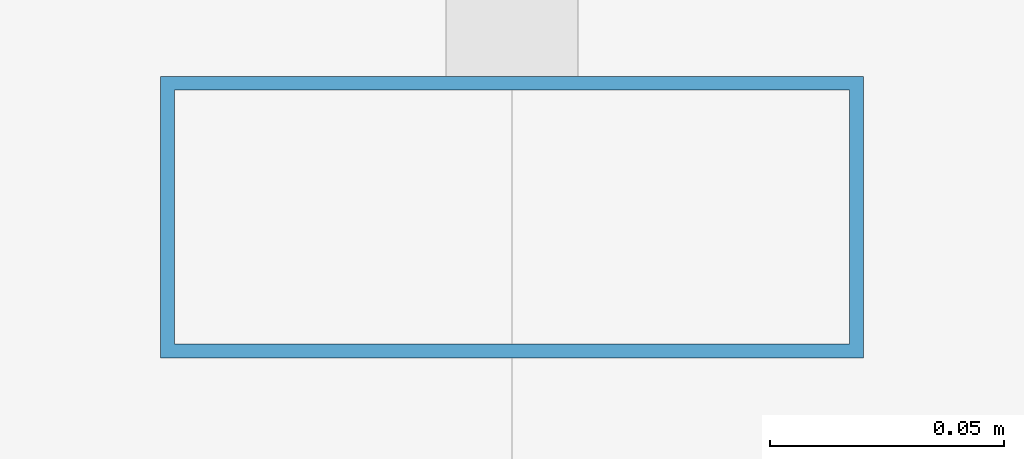
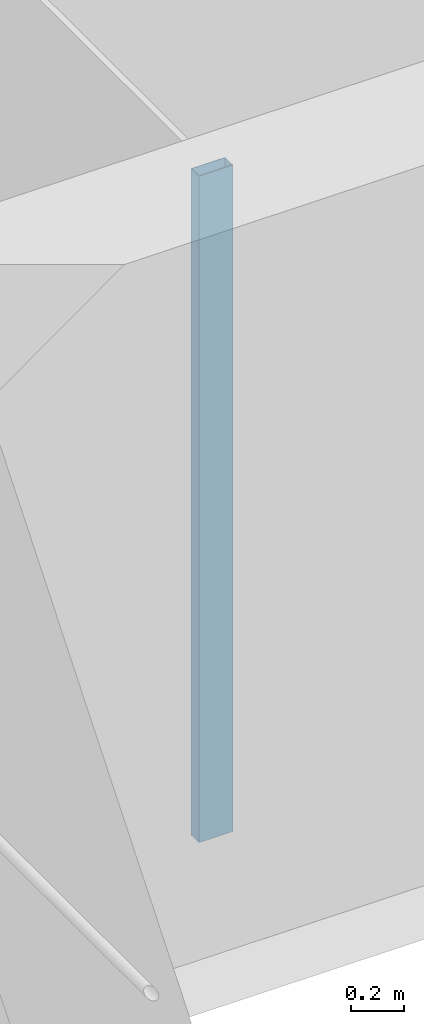
# One storey, part 11 of 40: 1 member, 1 element without a shape of its own.
"""IFC4 building model written with IfcOpenShell, lengths in metres."""

from ifc_helpers import new_model, si_unit, direction, frame, origin, origin_2d, place, context, subcontext, project, spatial, hollow_rectangle, extrude, material, material_profile, profile_set, type_object, element, aggregate, save


model = new_model("IFC4")

# Units and contexts
model_context = context("Model", 3, precision=1e-05, world=origin(), true_north=direction((0.0, 1.0)))
body_context = subcontext(model_context, "Body", "Model", "MODEL_VIEW")
ifc_project = project(units=[si_unit("LENGTHUNIT", "METRE"), si_unit("AREAUNIT", "SQUARE_METRE"), si_unit("VOLUMEUNIT", "CUBIC_METRE"), si_unit("PLANEANGLEUNIT", "RADIAN"), si_unit("MASSUNIT", "GRAM", prefix="KILO")], contexts=[model_context])

# Site, building, storey
site_placement = place(None, origin())
site = spatial("IfcSite", under=ifc_project, at=site_placement, CompositionType="ELEMENT")
building_placement = place(site_placement, origin())
building = spatial("IfcBuilding", under=site, at=building_placement, Name="Altepetl Exchange Towers", CompositionType="ELEMENT")
storey_placement = place(building_placement, frame((0.0, 0.0, 172.60009765625)))
storey = spatial("IfcBuildingStorey", under=building, at=storey_placement, Name="L43", CompositionType="ELEMENT", Elevation=172.60009765625)

# Curtain wall, member
ifc_material_1 = material(Name="Aluminium 6063-T6 glazing", Category="aluminium")
curtain_wall_type = type_object("IfcCurtainWallType", Name="Loggia glazing system", PredefinedType="NOTDEFINED", material=ifc_material_1)
curtain_wall_placement = place(storey_placement, origin())
curtain_wall = element("IfcCurtainWall", 1, at=curtain_wall_placement, inside=storey, type_object=curtain_wall_type, Name="CW1 run", PredefinedType="NOTDEFINED")
ifc_material_2 = material(Name="Aluminium 6063-T6", Category="aluminium")
ifc_material_profile = material_profile(ifc_material_2, hollow_rectangle(XDim=0.06005859375, YDim=0.14990234375, WallThickness=0.0029296875, at=origin_2d()), Name="Mullion 60x150 aluminium")
ifc_profile_set = profile_set([ifc_material_profile], Name="Aluminium 6063-T6")
member_type = type_object("IfcMemberType", Name="Mullion 60x150 aluminium", PredefinedType="MULLION", material=ifc_profile_set)
member_placement = place(storey_placement, frame((42.5, 58.60498046875, 0.0), z_axis=(0.0, 0.0, 1.0), x_axis=(0.0, -1.0, 0.0)))
member = element("IfcMember", 2, at=member_placement, type_object=member_type, Name="MU1 mullion", PredefinedType="MULLION", context=body_context, shape_type="SweptSolid", body=[
    extrude(hollow_rectangle(XDim=0.06005859375, YDim=0.14990234375, WallThickness=0.0029296875, at=origin_2d()), origin(), (0.0, 0.0, 1.0), 3.099853515625),
])
aggregate(curtain_wall, [member])

save(model, "model.ifc")
